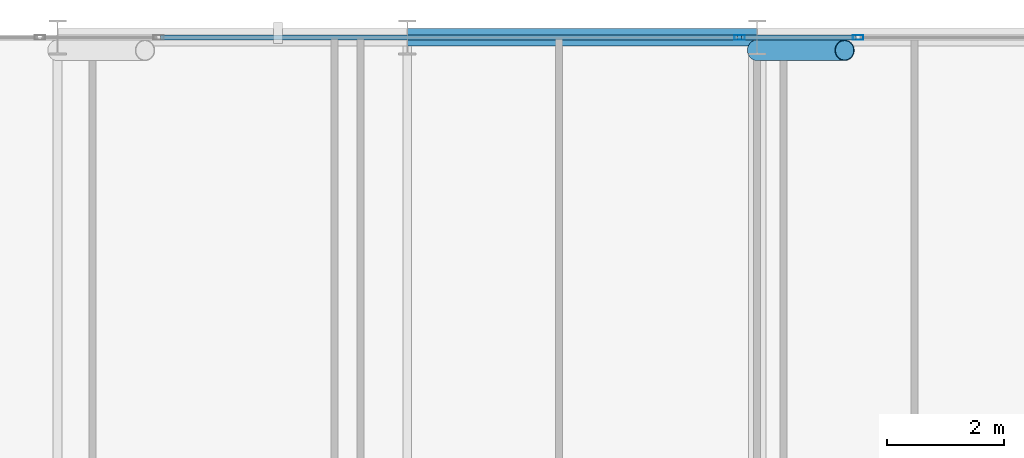
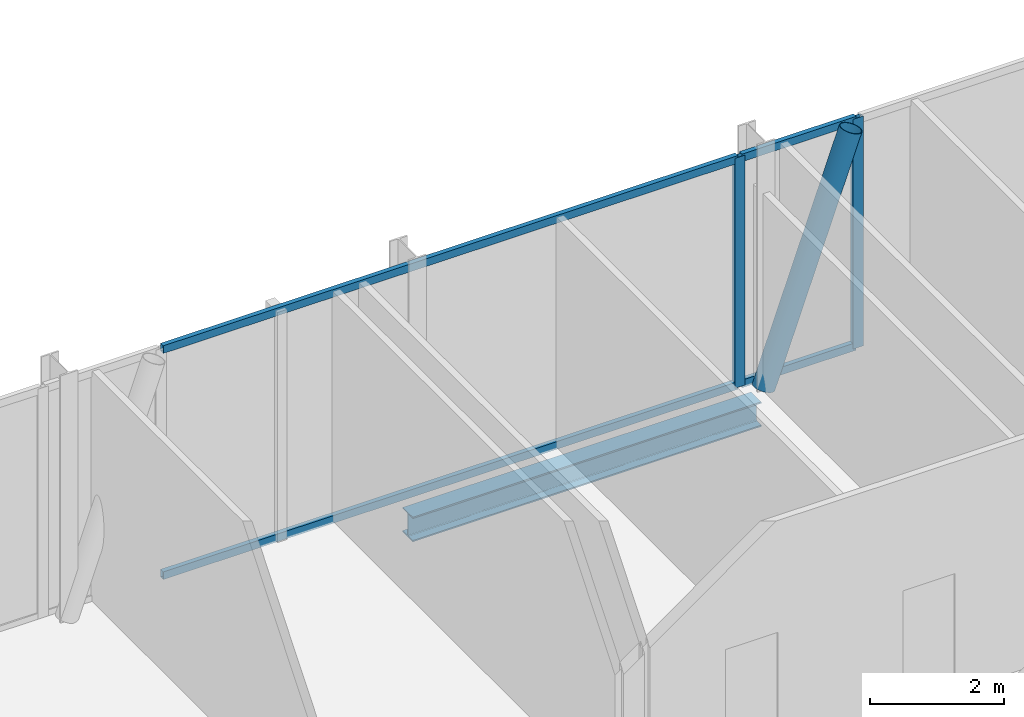
# One storey, part 15 of 30: 7 members, 1 beam, 2 elements without a shape of their own.
"""IFC4 building model written with IfcOpenShell, lengths in metres."""

import ifcopenshell
import ifcopenshell.guid

model = None  # the IFC model being written
_history = None  # IfcOwnerHistory: only IFC2X3 demands one
_inside = {}  # id of a spatial element -> (the spatial element, [elements in it])
_under = {}  # id of a project, library or spatial element -> (it, [spatial elements below it])
_declared = {}  # id of a project -> (the project, [libraries it declares])
_typed = {}  # id of a type object -> (the type object, [elements of that type])
_made_of = {}  # id of a material, layer set ... -> (it, [elements and type objects made of it])


def new_model(schema):
    """Start an empty IFC model of exactly this schema.

    Asked for "IFC4X3", IfcOpenShell would pick the latest addendum, in which some entities
    have other attributes; the version numbers below select the first issue.
    IFC2X3 requires an IfcOwnerHistory on every rooted entity: one is made here for all.
    """
    global model, _history
    if schema == "IFC4X3":
        model = ifcopenshell.file(schema_version=(4, 3, 0, 0))
    else:
        model = ifcopenshell.file(schema=schema)
    _inside.clear()
    _under.clear()
    _declared.clear()
    _typed.clear()
    _made_of.clear()
    _history = None
    if model.schema == "IFC2X3":
        org = make("IfcOrganization", Name="unknown")
        user = make(
            "IfcPersonAndOrganization",
            ThePerson=make("IfcPerson", FamilyName="unknown"),
            TheOrganization=org,
        )
        app = make(
            "IfcApplication",
            ApplicationDeveloper=org,
            Version="unknown",
            ApplicationFullName="unknown",
            ApplicationIdentifier="unknown",
        )
        _history = make(
            "IfcOwnerHistory",
            OwningUser=user,
            OwningApplication=app,
            ChangeAction="ADDED",
            CreationDate=0,
        )
    return model


def make(cls, **values):
    """One entity of the class cls with the attributes given. An attribute that is None is left unset."""
    return model.create_entity(
        cls, **{name: value for name, value in values.items() if value is not None}
    )


def rooted(cls, **values):
    """An entity with a GlobalId (a new one), such as an element, a storey or a relation."""
    return make(cls, GlobalId=ifcopenshell.guid.new(), OwnerHistory=_history, **values)


def si_unit(unit_type, name, prefix=None):
    """IfcSIUnit, for example si_unit("LENGTHUNIT", "METRE", prefix="MILLI")."""
    return make("IfcSIUnit", UnitType=unit_type, Prefix=prefix, Name=name)


def assignment(units):
    """IfcUnitAssignment: the units of a project."""
    return None if units is None else make("IfcUnitAssignment", Units=units)


def point(xyz):
    """IfcCartesianPoint."""
    return None if xyz is None else make("IfcCartesianPoint", Coordinates=xyz)


def direction(xyz):
    """IfcDirection."""
    return None if xyz is None else make("IfcDirection", DirectionRatios=xyz)


def frame(location, z_axis=None, x_axis=None):
    """IfcAxis2Placement3D, a coordinate frame: its origin and axes. An axis left out is left unset."""
    return make(
        "IfcAxis2Placement3D",
        Location=point(location),
        Axis=direction(z_axis),
        RefDirection=direction(x_axis),
    )


def frame_2d(location, x_axis=None):
    """IfcAxis2Placement2D, a coordinate frame in the plane: its origin and x axis."""
    return make(
        "IfcAxis2Placement2D", Location=point(location), RefDirection=direction(x_axis)
    )


def origin():
    """The frame at (0, 0, 0) with its axes left unset."""
    return frame((0.0, 0.0, 0.0))


def origin_2d():
    """The frame at (0, 0) in the plane with its x axis left unset."""
    return frame_2d((0.0, 0.0))


def place(relative_to, where):
    """IfcLocalPlacement: puts the frame where relative to a parent placement (None: the world)."""
    return make(
        "IfcLocalPlacement", PlacementRelTo=relative_to, RelativePlacement=where
    )


def context(
    kind, dimensions, precision=None, world=None, true_north=None, identifier=None
):
    """IfcGeometricRepresentationContext, for example the 3D "Model" context."""
    return make(
        "IfcGeometricRepresentationContext",
        ContextIdentifier=identifier,
        ContextType=kind,
        CoordinateSpaceDimension=dimensions,
        Precision=precision,
        WorldCoordinateSystem=world,
        TrueNorth=true_north,
    )


def subcontext(parent, identifier, kind, view, scale=None):
    """IfcGeometricRepresentationSubContext, for example "Body" below "Model"."""
    return make(
        "IfcGeometricRepresentationSubContext",
        ContextIdentifier=identifier,
        ContextType=kind,
        ParentContext=parent,
        TargetScale=scale,
        TargetView=view,
    )


def project(units=None, contexts=None):
    """IfcProject with its units and contexts."""
    return rooted(
        "IfcProject",
        Name="project",
        RepresentationContexts=contexts,
        UnitsInContext=assignment(units),
    )


def spatial(cls, under=None, at=None, **own):
    """A site, building, storey or space (cls), placed at a placement, below another one or the project."""
    s = rooted(cls, ObjectPlacement=at, **own)
    if under is not None:
        _under.setdefault(under.id(), (under, []))[1].append(s)
    return s


def profile(cls, at=None, kind="AREA", **sizes):
    """A parametric profile (cls). Its sizes go by their IFC names, for example OverallWidth=200.0."""
    return make(cls, ProfileType=kind, Position=at, **sizes)


def hollow_rectangle(**sizes):
    """IfcRectangleHollowProfileDef."""
    return profile("IfcRectangleHollowProfileDef", **sizes)


def hollow_circle(**sizes):
    """IfcCircleHollowProfileDef."""
    return profile("IfcCircleHollowProfileDef", **sizes)


def i_section(**sizes):
    """IfcIShapeProfileDef."""
    return profile("IfcIShapeProfileDef", **sizes)


def extrude(swept, where, along, depth):
    """IfcExtrudedAreaSolid: the profile swept, set in the frame where, extruded along a direction by depth."""
    return make(
        "IfcExtrudedAreaSolid",
        SweptArea=swept,
        Position=where,
        ExtrudedDirection=direction(along),
        Depth=depth,
    )


def shape(context_of_items, identifier, shape_type, items):
    """IfcShapeRepresentation: the items that make up one representation, for example the "Body"."""
    return make(
        "IfcShapeRepresentation",
        ContextOfItems=context_of_items,
        RepresentationIdentifier=identifier,
        RepresentationType=shape_type,
        Items=items,
    )


def material(Name=None, Category=None):
    """IfcMaterial."""
    return make("IfcMaterial", Name=Name, Category=Category)


def layer(
    of_material, thickness, ventilated=None, Name=None, Category=None, Priority=None
):
    """IfcMaterialLayer: one layer of a wall or slab, of a material (None: an air gap)."""
    return make(
        "IfcMaterialLayer",
        Material=of_material,
        LayerThickness=thickness,
        IsVentilated=ventilated,
        Name=Name,
        Category=Category,
        Priority=Priority,
    )


def layer_set(layers, Name=None):
    """IfcMaterialLayerSet."""
    return make("IfcMaterialLayerSet", MaterialLayers=layers, LayerSetName=Name)


def material_profile(
    of_material, cross_section, Name=None, Category=None, Priority=None
):
    """IfcMaterialProfile: a cross section and its material."""
    return make(
        "IfcMaterialProfile",
        Name=Name,
        Material=of_material,
        Profile=cross_section,
        Priority=Priority,
        Category=Category,
    )


def profile_set(profiles, Name=None, composite=None):
    """IfcMaterialProfileSet."""
    return make(
        "IfcMaterialProfileSet",
        Name=Name,
        MaterialProfiles=profiles,
        CompositeProfile=composite,
    )


def made_of(thing, what):
    """Note that an element or type object is made of a material, layer set ...; save() writes the relation."""
    if what is not None:
        _made_of.setdefault(what.id(), (what, []))[1].append(thing)
    return thing


def type_object(cls, material=None, **own):
    """A type object (cls), such as IfcWallType, which elements share."""
    return made_of(rooted(cls, **own), material)


def element(
    cls,
    number,
    at=None,
    inside=None,
    cuts=None,
    type_object=None,
    material=None,
    context=None,
    identifier="Body",
    shape_type=None,
    held_by="IfcProductDefinitionShape",
    body=None,
    shapes=None,
    **own,
):
    """One element of the class cls, such as IfcWall. Its Tag is "e" and its number.

    at: its placement. inside: the storey or other place that contains it. cuts: it is an
    opening in that element (IfcRelVoidsElement). A single representation is given by context,
    identifier, shape_type and body (its items); several are given by shapes. held_by: the class
    of the entity that holds the representations. save() writes the other relations.
    """
    e = rooted(cls, Tag="e%d" % number, ObjectPlacement=at, **own)
    if body is not None:
        shapes = [shape(context, identifier, shape_type, body)]
    if shapes is not None:
        e.Representation = make(held_by, Representations=shapes)
    if inside is not None:
        _inside.setdefault(inside.id(), (inside, []))[1].append(e)
    if cuts is not None:
        rooted(
            "IfcRelVoidsElement", RelatingBuildingElement=cuts, RelatedOpeningElement=e
        )
    if type_object is not None:
        _typed.setdefault(type_object.id(), (type_object, []))[1].append(e)
    return made_of(e, material)


def aggregate(whole, parts):
    """IfcRelAggregates: a whole, such as a stair, and the parts it consists of."""
    return rooted("IfcRelAggregates", RelatingObject=whole, RelatedObjects=parts)


def save(model, path):
    """Write the relations noted so far, then the file.

    IfcRelAggregates (storeys below a building ...), IfcRelContainedInSpatialStructure (elements
    in a storey), IfcRelDefinesByType, IfcRelAssociatesMaterial and IfcRelDeclares: one each for
    every whole, place, type object, material and project.
    """
    for whole, parts in _under.values():
        aggregate(whole, parts)
    for where, things in _inside.values():
        rooted(
            "IfcRelContainedInSpatialStructure",
            RelatedElements=things,
            RelatingStructure=where,
        )
    for kind, things in _typed.values():
        rooted("IfcRelDefinesByType", RelatedObjects=things, RelatingType=kind)
    for what, things in _made_of.values():
        rooted("IfcRelAssociatesMaterial", RelatedObjects=things, RelatingMaterial=what)
    for by, libraries in _declared.values():
        rooted("IfcRelDeclares", RelatingContext=by, RelatedDefinitions=libraries)
    model.write(path)


model = new_model("IFC4")

# Units and contexts
model_context = context("Model", 3, precision=1e-05, world=origin(), true_north=direction((0.0, 1.0)))
body_context = subcontext(model_context, "Body", "Model", "MODEL_VIEW")
ifc_project = project(units=[si_unit("LENGTHUNIT", "METRE"), si_unit("AREAUNIT", "SQUARE_METRE"), si_unit("VOLUMEUNIT", "CUBIC_METRE"), si_unit("PLANEANGLEUNIT", "RADIAN"), si_unit("MASSUNIT", "GRAM", prefix="KILO")], contexts=[model_context])

# Site, building, storey
site_placement = place(None, origin())
site = spatial("IfcSite", under=ifc_project, at=site_placement, CompositionType="ELEMENT")
building_placement = place(site_placement, origin())
building = spatial("IfcBuilding", under=site, at=building_placement, Name="Keshet Zoharim Tower", CompositionType="ELEMENT")
storey_placement = place(building_placement, frame((0.0, 0.0, 86.39990234375)))
storey = spatial("IfcBuildingStorey", under=building, at=storey_placement, Name="L20", CompositionType="ELEMENT", Elevation=86.39990234375)

# Beam
ifc_material_1 = material(Name="Steel S355", Category="steel")
ifc_material_profile_1 = material_profile(ifc_material_1, i_section(OverallWidth=0.300048828125, OverallDepth=0.449951171875, WebThickness=0.013916015625, FlangeThickness=0.02587890625, FilletRadius=0.027099609375, at=origin_2d()), Name="HEB450")
ifc_profile_set_1 = profile_set([ifc_material_profile_1], Name="Steel S355")
beam_type = type_object("IfcBeamType", Name="BM-WEB-HB450", PredefinedType="BEAM", material=ifc_profile_set_1)
beam_placement = place(storey_placement, frame((27.0, 53.89990234375, -0.539794921875), z_axis=(1.0, 0.0, 0.0), x_axis=(0.0, 1.0, 0.0)))
element("IfcBeam", 1, at=beam_placement, inside=storey, type_object=beam_type, Name="L20 Primary Girder X-020", PredefinedType="BEAM", context=body_context, shape_type="SweptSolid", body=[
    extrude(i_section(OverallWidth=0.300048828125, OverallDepth=0.449951171875, WebThickness=0.013916015625, FlangeThickness=0.02587890625, FilletRadius=0.027099609375, at=origin_2d()), origin(), (0.0, 0.0, 1.0), 6.0),
])

# Curtain wall, member
ifc_material_2 = material(Name="Aluminium 6063-T6", Category="aluminium")
ifc_layer = layer(ifc_material_2, 0.159912109375)
ifc_layer_set = layer_set([ifc_layer], Name="Aluminium 6063-T6")
curtain_wall_type = type_object("IfcCurtainWallType", Name="CW-SYS-03", PredefinedType="NOTDEFINED", material=ifc_layer_set)
curtain_wall_1_placement = place(storey_placement, origin())
curtain_wall_1 = element("IfcCurtainWall", 2, at=curtain_wall_1_placement, inside=storey, type_object=curtain_wall_type, Name="L20 Unitised Curtain Wall 13 Part 3", PredefinedType="NOTDEFINED")
ifc_material_profile_2 = material_profile(ifc_material_2, hollow_rectangle(XDim=0.080078125, YDim=0.179931640625, WallThickness=0.00439453125, at=origin_2d()), Name="MUL-80x180")
ifc_profile_set_2 = profile_set([ifc_material_profile_2], Name="Aluminium 6063-T6")
member_type_1 = type_object("IfcMemberType", Name="CWM-M18", PredefinedType="MULLION", material=ifc_profile_set_2)
member_1_placement = place(storey_placement, frame((32.697509765625, 53.89990234375, 0.0), z_axis=(0.0, 0.0, 1.0), x_axis=(0.0, 1.0, 0.0)))
member_1 = element("IfcMember", 3, at=member_1_placement, type_object=member_type_1, Name="CW-03 mullion 2", PredefinedType="MULLION", context=body_context, shape_type="SweptSolid", body=[
    extrude(hollow_rectangle(XDim=0.080078125, YDim=0.179931640625, WallThickness=0.00439453125, at=origin_2d()), origin(), (0.0, 0.0, 1.0), 4.18505859375),
])

curtain_wall_2_placement = place(storey_placement, origin())
curtain_wall_2 = element("IfcCurtainWall", 4, at=curtain_wall_2_placement, inside=storey, type_object=curtain_wall_type, Name="L20 Unitised Curtain Wall 13 Part 4", PredefinedType="NOTDEFINED")
member_2_placement = place(storey_placement, frame((34.732421875, 53.89990234375, 0.0), z_axis=(0.0, 0.0, 1.0), x_axis=(0.0, 1.0, 0.0)))
member_2 = element("IfcMember", 5, at=member_2_placement, type_object=member_type_1, Name="CW-03 mullion 2", PredefinedType="MULLION", context=body_context, shape_type="SweptSolid", body=[
    extrude(hollow_rectangle(XDim=0.080078125, YDim=0.179931640625, WallThickness=0.00439453125, at=origin_2d()), origin(), (0.0, 0.0, 1.0), 4.18505859375),
])

# Member
ifc_material_profile_3 = material_profile(ifc_material_2, hollow_rectangle(XDim=0.080078125, YDim=0.139892578125, WallThickness=0.00390625, at=origin_2d()), Name="TRN-80x140")
ifc_profile_set_3 = profile_set([ifc_material_profile_3], Name="Aluminium 6063-T6")
member_type_2 = type_object("IfcMemberType", Name="CWT-T14", PredefinedType="USERDEFINED", material=ifc_profile_set_3)
member_3_placement = place(storey_placement, frame((22.767333984375, 53.89990234375, 0.03515625), z_axis=(1.0, 0.0, 0.0), x_axis=(0.0, 1.0, 0.0)))
member_3 = element("IfcMember", 6, at=member_3_placement, type_object=member_type_2, Name="CW-03 transom 1.1", ObjectType="TRANSOM", PredefinedType="USERDEFINED", context=body_context, shape_type="SweptSolid", body=[
    extrude(hollow_rectangle(XDim=0.080078125, YDim=0.139892578125, WallThickness=0.00390625, at=origin_2d()), origin(), (0.0, 0.0, 1.0), 9.895263671875),
])

member_4_placement = place(storey_placement, frame((22.767333984375, 53.89990234375, 4.150146484375), z_axis=(1.0, 0.0, 0.0), x_axis=(0.0, 1.0, 0.0)))
member_4 = element("IfcMember", 7, at=member_4_placement, type_object=member_type_2, Name="CW-03 transom 1.2", ObjectType="TRANSOM", PredefinedType="USERDEFINED", context=body_context, shape_type="SweptSolid", body=[
    extrude(hollow_rectangle(XDim=0.080078125, YDim=0.139892578125, WallThickness=0.00390625, at=origin_2d()), origin(), (0.0, 0.0, 1.0), 9.895263671875),
])

aggregate(curtain_wall_1, [member_1, member_3, member_4])

member_5_placement = place(storey_placement, frame((32.732666015625, 53.89990234375, 0.03515625), z_axis=(1.0, 0.0, 0.0), x_axis=(0.0, 1.0, 0.0)))
member_5 = element("IfcMember", 8, at=member_5_placement, type_object=member_type_2, Name="CW-03 transom 1.1", ObjectType="TRANSOM", PredefinedType="USERDEFINED", context=body_context, shape_type="SweptSolid", body=[
    extrude(hollow_rectangle(XDim=0.080078125, YDim=0.139892578125, WallThickness=0.00390625, at=origin_2d()), origin(), (0.0, 0.0, 1.0), 1.96484375),
])

member_6_placement = place(storey_placement, frame((32.732666015625, 53.89990234375, 4.150146484375), z_axis=(1.0, 0.0, 0.0), x_axis=(0.0, 1.0, 0.0)))
member_6 = element("IfcMember", 9, at=member_6_placement, type_object=member_type_2, Name="CW-03 transom 1.2", ObjectType="TRANSOM", PredefinedType="USERDEFINED", context=body_context, shape_type="SweptSolid", body=[
    extrude(hollow_rectangle(XDim=0.080078125, YDim=0.139892578125, WallThickness=0.00390625, at=origin_2d()), origin(), (0.0, 0.0, 1.0), 1.96484375),
])

aggregate(curtain_wall_2, [member_2, member_5, member_6])

ifc_material_profile_4 = material_profile(ifc_material_1, hollow_circle(Radius=0.177734375, WallThickness=0.012451171875, at=origin_2d()), Name="CHS355x12.5")
ifc_profile_set_4 = profile_set([ifc_material_profile_4], Name="Steel S355")
member_type_3 = type_object("IfcMemberType", Name="MB-BR-C355", PredefinedType="BRACE", material=ifc_profile_set_4)
member_7_placement = place(storey_placement, frame((33.0, 53.679931640625, 0.0), z_axis=(0.337400697546, 0.0, 0.941361125868), x_axis=(0.0, 1.0, 0.0)))
element("IfcMember", 10, at=member_7_placement, inside=storey, type_object=member_type_3, Name="L20 Perimeter Tube Brace 03", PredefinedType="BRACE", context=body_context, shape_type="SweptSolid", body=[
    extrude(hollow_circle(Radius=0.177734375, WallThickness=0.012451171875, at=origin_2d()), origin(), (0.0, 0.0, 1.0), 4.44580078125),
])

save(model, "model.ifc")
